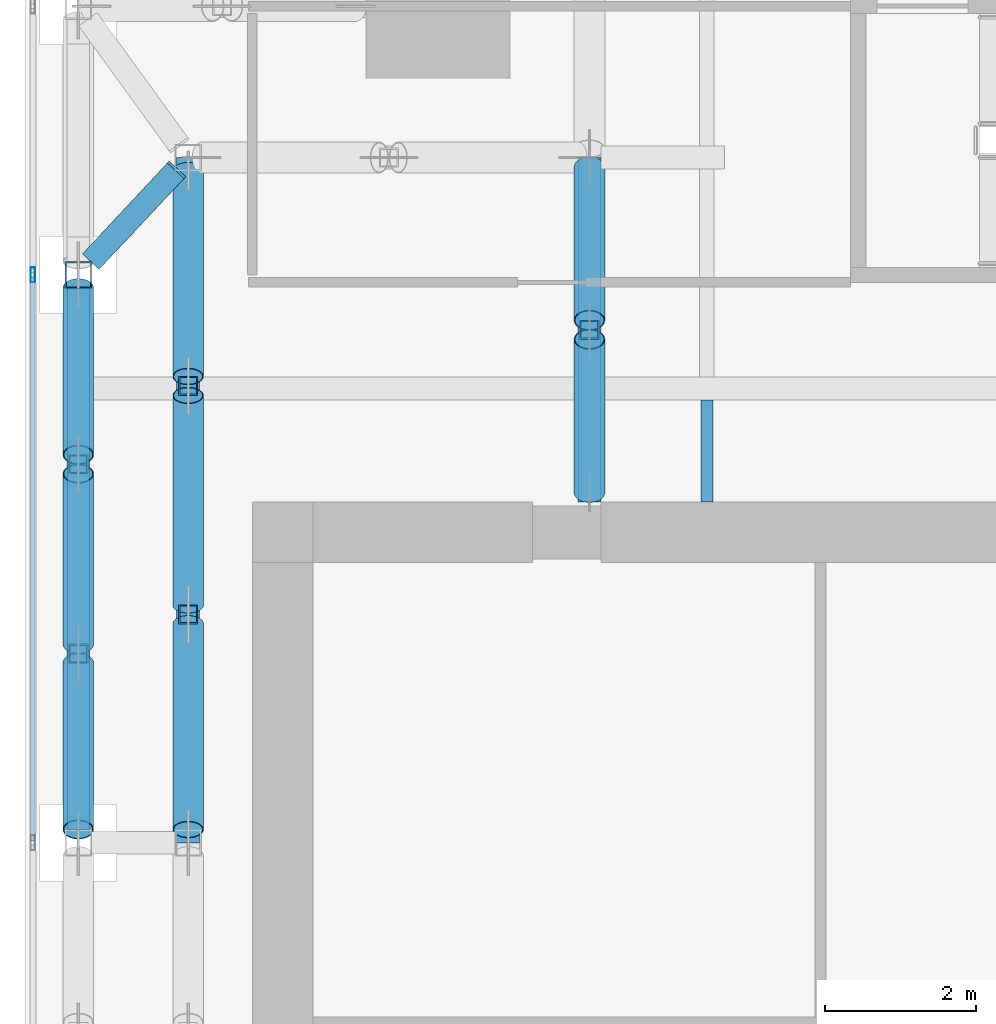
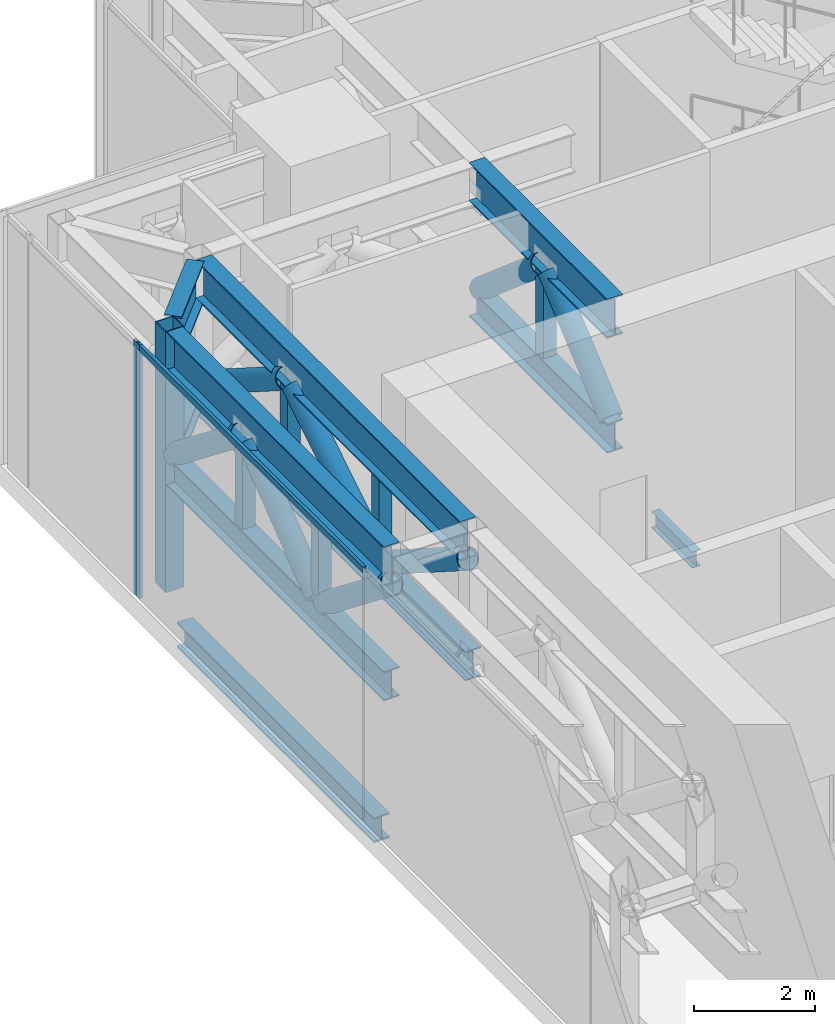
# One storey, part 17 of 36: 22 members, 4 beams, 1 element without a shape of its own.
"""IFC4 building model written with IfcOpenShell, lengths in metres."""

from ifc_helpers import new_model, si_unit, direction, frame, origin, origin_2d, place, context, subcontext, project, spatial, hollow_rectangle, hollow_circle, i_section, extrude, source, transform, mapped, material, material_profile, profile_set, type_object, element, aggregate, save


model = new_model("IFC4")

# Units and contexts
model_context = context("Model", 3, precision=1e-05, world=origin(), true_north=direction((0.0, 1.0)))
body_context = subcontext(model_context, "Body", "Model", "MODEL_VIEW")
ifc_project = project(units=[si_unit("LENGTHUNIT", "METRE"), si_unit("AREAUNIT", "SQUARE_METRE"), si_unit("VOLUMEUNIT", "CUBIC_METRE"), si_unit("PLANEANGLEUNIT", "RADIAN"), si_unit("MASSUNIT", "GRAM", prefix="KILO")], contexts=[model_context])

# Site, building, storey
site_placement = place(None, origin())
site = spatial("IfcSite", under=ifc_project, at=site_placement, CompositionType="ELEMENT")
building_placement = place(site_placement, origin())
building = spatial("IfcBuilding", under=site, at=building_placement, Name="Khomas Fold Tower", CompositionType="ELEMENT")
storey_placement = place(building_placement, frame((0.0, 0.0, 216.699951171875)))
storey = spatial("IfcBuildingStorey", under=building, at=storey_placement, Name="L48", CompositionType="ELEMENT", Elevation=216.699951171875)

# Beams
ifc_material_1 = material(Name="Steel S355", Category="steel")
ifc_material_profile_1 = material_profile(ifc_material_1, i_section(OverallWidth=0.300048828125, OverallDepth=0.5, WebThickness=0.014404296875, FlangeThickness=0.028076171875, at=origin_2d()), Name="HE 500 B")
ifc_profile_set_1 = profile_set([ifc_material_profile_1], Name="Steel S355")
beam_type_1 = type_object("IfcBeamType", Name="HE 500 B spandrel SB3", PredefinedType="SPANDREL", material=ifc_profile_set_1)
shared_shape_1 = source(origin(), body_context, "Body", "SweptSolid", [
    extrude(i_section(OverallWidth=0.300048828125, OverallDepth=0.5, WebThickness=0.014404296875, FlangeThickness=0.028076171875, at=origin_2d()), origin(), (0.0, 0.0, 1.0), 6.5),
])
beam_1_placement = place(storey_placement, frame((3.699951171875, 35.0, -0.64990234375), z_axis=(0.0, 1.0, 0.0), x_axis=(-1.0, 0.0, 0.0)))
element("IfcBeam", 1, at=beam_1_placement, inside=storey, type_object=beam_type_1, Name="SB3", PredefinedType="SPANDREL", context=body_context, shape_type="MappedRepresentation", body=[
    mapped(shared_shape_1, transform((0.0, 0.0, 0.0))),
])
ifc_material_2 = material(Name="Steel S355", Category="steel")
ifc_material_profile_2 = material_profile(ifc_material_2, i_section(OverallWidth=0.159912109375, OverallDepth=0.330078125, WebThickness=0.007568359375, FlangeThickness=0.011474609375, at=origin_2d()), Name="IPE 330")
ifc_profile_set_2 = profile_set([ifc_material_profile_2], Name="Steel S355")
beam_type_2 = type_object("IfcBeamType", Name="IPE 330 beam JB1", PredefinedType="BEAM", material=ifc_profile_set_2)
shared_shape_2 = source(origin(), body_context, "Body", "SweptSolid", [
    extrude(i_section(OverallWidth=0.159912109375, OverallDepth=0.330078125, WebThickness=0.007568359375, FlangeThickness=0.011474609375, at=origin_2d()), origin(), (0.0, 0.0, 1.0), 1.35009765625),
])
beam_2_placement = place(storey_placement, frame((12.0, 39.0, -0.56494140625), z_axis=(0.0, 1.0, 0.0), x_axis=(-1.0, 0.0, 0.0)))
element("IfcBeam", 2, at=beam_2_placement, inside=storey, type_object=beam_type_2, Name="JB1", PredefinedType="BEAM", context=body_context, shape_type="MappedRepresentation", body=[
    mapped(shared_shape_2, transform((0.0, 0.0, 0.0))),
])

# Members
ifc_material_3 = material(Name="Steel S355", Category="steel")
ifc_material_profile_3 = material_profile(ifc_material_3, i_section(OverallWidth=0.300048828125, OverallDepth=0.7900390625, WebThickness=0.014892578125, FlangeThickness=0.028076171875, at=origin_2d()), Name="HE 800 A")
ifc_profile_set_3 = profile_set([ifc_material_profile_3], Name="Steel S355")
member_type_1 = type_object("IfcMemberType", Name="BELT TRUSS 3 TOP CHORD HE 800 A", PredefinedType="CHORD", material=ifc_profile_set_3)
shared_shape_3 = source(origin(), body_context, "Body", "SweptSolid", [
    extrude(i_section(OverallWidth=0.300048828125, OverallDepth=0.7900390625, WebThickness=0.014892578125, FlangeThickness=0.028076171875, at=origin_2d()), origin(), (0.0, 0.0, 1.0), 7.14990234375),
])
member_1_placement = place(storey_placement, frame((3.699951171875, 41.824951171875, 4.85498046875), z_axis=(0.0, -1.0, 0.0), x_axis=(1.0, 0.0, 0.0)))
element("IfcMember", 3, at=member_1_placement, inside=storey, type_object=member_type_1, Name="BT3-CT", PredefinedType="CHORD", context=body_context, shape_type="MappedRepresentation", body=[
    mapped(shared_shape_3, transform((0.0, 0.0, 0.0))),
])
ifc_material_4 = material(Name="Steel S355", Category="steel")
ifc_material_profile_4 = material_profile(ifc_material_4, i_section(OverallWidth=0.300048828125, OverallDepth=0.590087890625, WebThickness=0.012939453125, FlangeThickness=0.02490234375, at=origin_2d()), Name="HE 600 A")
ifc_profile_set_4 = profile_set([ifc_material_profile_4], Name="Steel S355")
member_type_2 = type_object("IfcMemberType", Name="BELT TRUSS 3 BOTTOM CHORD HE 600 A", PredefinedType="CHORD", material=ifc_profile_set_4)
shared_shape_4 = source(origin(), body_context, "Body", "SweptSolid", [
    extrude(i_section(OverallWidth=0.300048828125, OverallDepth=0.590087890625, WebThickness=0.012939453125, FlangeThickness=0.02490234375, at=origin_2d()), origin(), (0.0, 0.0, 1.0), 7.14990234375),
])
member_2_placement = place(storey_placement, frame((3.699951171875, 41.824951171875, 2.445068359375), z_axis=(0.0, -1.0, 0.0), x_axis=(1.0, 0.0, 0.0)))
element("IfcMember", 4, at=member_2_placement, inside=storey, type_object=member_type_2, Name="BT3-CB", PredefinedType="CHORD", context=body_context, shape_type="MappedRepresentation", body=[
    mapped(shared_shape_4, transform((0.0, 0.0, 0.0))),
])
ifc_material_5 = material(Name="Steel S355", Category="steel")
ifc_material_profile_5 = material_profile(ifc_material_5, hollow_circle(Radius=0.203125, WallThickness=0.012451171875, at=origin_2d()), Name="CHS 406.4x12.5")
ifc_profile_set_5 = profile_set([ifc_material_profile_5], Name="Steel S355")
member_type_3 = type_object("IfcMemberType", Name="BELT TRUSS 3 DIAGONAL CHS 406.4x12.5", PredefinedType="BRACE", material=ifc_profile_set_5)
shared_shape_5 = source(origin(), body_context, "Body", "SweptSolid", [
    extrude(hollow_circle(Radius=0.203125, WallThickness=0.012451171875, at=origin_2d()), origin(), (0.0, 0.0, 1.0), 2.798583984375),
])
for number, where, z_axis, x_axis, name in (
    (5, (3.699951171875, 41.824951171875, 2.735107421875), (0.0, -0.786067028411, 0.618141267709), (1.0, 0.0, 0.0), "BT3-D"),
    (6, (3.699951171875, 36.875, 2.735107421875), (0.0, -0.786067028411, 0.618141267709), (1.0, 0.0, 0.0), "BT3-D"),
):
    element("IfcMember", number, at=place(storey_placement, frame(where, z_axis=z_axis, x_axis=x_axis)), inside=storey, type_object=member_type_3, Name=name, PredefinedType="BRACE", context=body_context, shape_type="MappedRepresentation", body=[
        mapped(shared_shape_5, transform((0.0, 0.0, 0.0))),
    ])
shared_shape_6 = source(origin(), body_context, "Body", "SweptSolid", [
    extrude(hollow_circle(Radius=0.203125, WallThickness=0.012451171875, at=origin_2d()), origin(), (0.0, 0.0, 1.0), 2.838134765625),
])
member_3_placement = place(storey_placement, frame((3.699951171875, 39.375, 4.465087890625), z_axis=(0.0, -0.792758275848, -0.609536148292), x_axis=(1.0, 0.0, 0.0)))
element("IfcMember", 7, at=member_3_placement, inside=storey, type_object=member_type_3, Name="BT3-D", PredefinedType="BRACE", context=body_context, shape_type="MappedRepresentation", body=[
    mapped(shared_shape_6, transform((0.0, 0.0, 0.0))),
])
ifc_material_6 = material(Name="Steel S355", Category="steel")
ifc_material_profile_6 = material_profile(ifc_material_6, hollow_rectangle(XDim=0.25, YDim=0.25, WallThickness=0.01611328125, at=origin_2d()), Name="SHS 250x250x16")
ifc_profile_set_6 = profile_set([ifc_material_profile_6], Name="Steel S355")
member_type_4 = type_object("IfcMemberType", Name="BELT TRUSS 3 MID POST SHS 250x250x16", PredefinedType="POST", material=ifc_profile_set_6)
shared_shape_7 = source(origin(), body_context, "Body", "SweptSolid", [
    extrude(hollow_rectangle(XDim=0.25, YDim=0.25, WallThickness=0.01611328125, at=origin_2d()), origin(), (0.0, 0.0, 1.0), 1.719970703125),
])
for number, where, z_axis, x_axis, name in (
    (8, (3.699951171875, 39.5, 2.739990234375), (0.0, 0.0, 1.0), (1.0, 0.0, 0.0), "BT3-M"),
    (9, (3.699951171875, 37.0, 2.739990234375), (0.0, 0.0, 1.0), (1.0, 0.0, 0.0), "BT3-M"),
    (10, (5.14990234375, 40.533447265625, 2.739990234375), (0.0, 0.0, 1.0), (1.0, 0.0, 0.0), "BT3-M"),
    (11, (5.14990234375, 37.5166015625, 2.739990234375), (0.0, 0.0, 1.0), (1.0, 0.0, 0.0), "BT3-M"),
    (12, (10.449951171875, 41.27490234375, 2.739990234375), (0.0, 0.0, 1.0), (1.0, 0.0, 0.0), "BT3-M"),
):
    element("IfcMember", number, at=place(storey_placement, frame(where, z_axis=z_axis, x_axis=x_axis)), inside=storey, type_object=member_type_4, Name=name, PredefinedType="POST", context=body_context, shape_type="MappedRepresentation", body=[
        mapped(shared_shape_7, transform((0.0, 0.0, 0.0))),
    ])
ifc_material_7 = material(Name="Steel S355", Category="steel")
ifc_material_profile_7 = material_profile(ifc_material_7, i_section(OverallWidth=0.300048828125, OverallDepth=0.7900390625, WebThickness=0.014892578125, FlangeThickness=0.028076171875, at=origin_2d()), Name="HE 800 A")
ifc_profile_set_7 = profile_set([ifc_material_profile_7], Name="Steel S355")
member_type_5 = type_object("IfcMemberType", Name="BELT TRUSS 3 TOP CHORD LONG HE 800 A", PredefinedType="CHORD", material=ifc_profile_set_7)
shared_shape_8 = source(origin(), body_context, "Body", "SweptSolid", [
    extrude(i_section(OverallWidth=0.300048828125, OverallDepth=0.7900390625, WebThickness=0.014892578125, FlangeThickness=0.028076171875, at=origin_2d()), origin(), (0.0, 0.0, 1.0), 8.699951171875),
])
member_4_placement = place(storey_placement, frame((5.14990234375, 43.375, 4.85498046875), z_axis=(0.0, -1.0, 0.0), x_axis=(1.0, 0.0, 0.0)))
element("IfcMember", 13, at=member_4_placement, inside=storey, type_object=member_type_5, Name="BT3-CTL", PredefinedType="CHORD", context=body_context, shape_type="MappedRepresentation", body=[
    mapped(shared_shape_8, transform((0.0, 0.0, 0.0))),
])
shared_shape_9 = source(origin(), body_context, "Body", "SweptSolid", [
    extrude(hollow_circle(Radius=0.203125, WallThickness=0.012451171875, at=origin_2d()), origin(), (0.0, 0.0, 1.0), 3.220703125),
])
for number, where, z_axis, x_axis, name in (
    (14, (5.14990234375, 43.375, 2.735107421875), (0.0, -0.843483522339, 0.537155049815), (1.0, 0.0, 0.0), "BT3-D"),
    (15, (5.14990234375, 37.3916015625, 2.735107421875), (0.0, -0.843483522339, 0.537155049815), (1.0, 0.0, 0.0), "BT3-D"),
):
    element("IfcMember", number, at=place(storey_placement, frame(where, z_axis=z_axis, x_axis=x_axis)), inside=storey, type_object=member_type_3, Name=name, PredefinedType="BRACE", context=body_context, shape_type="MappedRepresentation", body=[
        mapped(shared_shape_9, transform((0.0, 0.0, 0.0))),
    ])
shared_shape_10 = source(origin(), body_context, "Body", "SweptSolid", [
    extrude(hollow_circle(Radius=0.203125, WallThickness=0.012451171875, at=origin_2d()), origin(), (0.0, 0.0, 1.0), 3.26318359375),
])
member_5_placement = place(storey_placement, frame((5.14990234375, 40.408447265625, 4.465087890625), z_axis=(0.0, -0.847901616183, -0.53015360913), x_axis=(1.0, 0.0, 0.0)))
element("IfcMember", 16, at=member_5_placement, inside=storey, type_object=member_type_3, Name="BT3-D", PredefinedType="BRACE", context=body_context, shape_type="MappedRepresentation", body=[
    mapped(shared_shape_10, transform((0.0, 0.0, 0.0))),
])
ifc_material_8 = material(Name="Steel S355", Category="steel")
ifc_material_profile_8 = material_profile(ifc_material_8, i_section(OverallWidth=0.300048828125, OverallDepth=0.590087890625, WebThickness=0.012939453125, FlangeThickness=0.02490234375, at=origin_2d()), Name="HE 600 A")
ifc_profile_set_8 = profile_set([ifc_material_profile_8], Name="Steel S355")
member_type_6 = type_object("IfcMemberType", Name="BELT TRUSS 3 BOTTOM CHORD LONG HE 600 A", PredefinedType="CHORD", material=ifc_profile_set_8)
shared_shape_11 = source(origin(), body_context, "Body", "SweptSolid", [
    extrude(i_section(OverallWidth=0.300048828125, OverallDepth=0.590087890625, WebThickness=0.012939453125, FlangeThickness=0.02490234375, at=origin_2d()), origin(), (0.0, 0.0, 1.0), 9.050048828125),
])
member_6_placement = place(storey_placement, frame((5.14990234375, 43.550048828125, 2.445068359375), z_axis=(0.0, -1.0, 0.0), x_axis=(1.0, 0.0, 0.0)))
element("IfcMember", 17, at=member_6_placement, inside=storey, type_object=member_type_6, Name="BT3-CBL", PredefinedType="CHORD", context=body_context, shape_type="MappedRepresentation", body=[
    mapped(shared_shape_11, transform((0.0, 0.0, 0.0))),
])
ifc_material_9 = material(Name="Steel S355", Category="steel")
ifc_material_profile_9 = material_profile(ifc_material_9, i_section(OverallWidth=0.300048828125, OverallDepth=0.7900390625, WebThickness=0.014892578125, FlangeThickness=0.028076171875, at=origin_2d()), Name="HE 800 A")
ifc_profile_set_9 = profile_set([ifc_material_profile_9], Name="Steel S355")
member_type_7 = type_object("IfcMemberType", Name="BELT TRUSS 3 TOP CHORD SHORT HE 800 A", PredefinedType="CHORD", material=ifc_profile_set_9)
shared_shape_12 = source(origin(), body_context, "Body", "SweptSolid", [
    extrude(i_section(OverallWidth=0.300048828125, OverallDepth=0.7900390625, WebThickness=0.014892578125, FlangeThickness=0.028076171875, at=origin_2d()), origin(), (0.0, 0.0, 1.0), 4.550048828125),
])
member_7_placement = place(storey_placement, frame((10.449951171875, 43.550048828125, 4.85498046875), z_axis=(0.0, -1.0, 0.0), x_axis=(1.0, 0.0, 0.0)))
element("IfcMember", 18, at=member_7_placement, inside=storey, type_object=member_type_7, Name="BT3-CTS", PredefinedType="CHORD", context=body_context, shape_type="MappedRepresentation", body=[
    mapped(shared_shape_12, transform((0.0, 0.0, 0.0))),
])
ifc_material_10 = material(Name="Steel S355", Category="steel")
ifc_material_profile_10 = material_profile(ifc_material_10, i_section(OverallWidth=0.300048828125, OverallDepth=0.590087890625, WebThickness=0.012939453125, FlangeThickness=0.02490234375, at=origin_2d()), Name="HE 600 A")
ifc_profile_set_10 = profile_set([ifc_material_profile_10], Name="Steel S355")
member_type_8 = type_object("IfcMemberType", Name="BELT TRUSS 3 BOTTOM CHORD SHORT HE 600 A", PredefinedType="CHORD", material=ifc_profile_set_10)
shared_shape_13 = source(origin(), body_context, "Body", "SweptSolid", [
    extrude(i_section(OverallWidth=0.300048828125, OverallDepth=0.590087890625, WebThickness=0.012939453125, FlangeThickness=0.02490234375, at=origin_2d()), origin(), (0.0, 0.0, 1.0), 4.550048828125),
])
member_8_placement = place(storey_placement, frame((10.449951171875, 43.550048828125, 2.445068359375), z_axis=(0.0, -1.0, 0.0), x_axis=(1.0, 0.0, 0.0)))
element("IfcMember", 19, at=member_8_placement, inside=storey, type_object=member_type_8, Name="BT3-CBS", PredefinedType="CHORD", context=body_context, shape_type="MappedRepresentation", body=[
    mapped(shared_shape_13, transform((0.0, 0.0, 0.0))),
])
shared_shape_14 = source(origin(), body_context, "Body", "SweptSolid", [
    extrude(hollow_circle(Radius=0.203125, WallThickness=0.012451171875, at=origin_2d()), origin(), (0.0, 0.0, 1.0), 2.661865234375),
])
for number, where, z_axis, x_axis, name in (
    (20, (10.449951171875, 43.423095703125, 2.735107421875), (0.0, -0.760032931918, 0.649884560826), (1.0, 0.0, 0.0), "BT3-D"),
    (21, (10.449951171875, 41.14990234375, 4.465087890625), (0.0, -0.759994192515, -0.649929863403), (1.0, 0.0, 0.0), "BT3-D"),
):
    element("IfcMember", number, at=place(storey_placement, frame(where, z_axis=z_axis, x_axis=x_axis)), inside=storey, type_object=member_type_3, Name=name, PredefinedType="BRACE", context=body_context, shape_type="MappedRepresentation", body=[
        mapped(shared_shape_14, transform((0.0, 0.0, 0.0))),
    ])
ifc_material_11 = material(Name="Steel S355", Category="steel")
ifc_material_profile_11 = material_profile(ifc_material_11, hollow_rectangle(XDim=0.35009765625, YDim=0.35009765625, WallThickness=0.01611328125, at=origin_2d()), Name="SHS 350x350x16")
ifc_profile_set_11 = profile_set([ifc_material_profile_11], Name="Steel S355")
member_type_9 = type_object("IfcMemberType", Name="BELT TRUSS 3 COLUMN POST SHS 350x350x16", PredefinedType="POST", material=ifc_profile_set_11)
shared_shape_15 = source(origin(), body_context, "Body", "SweptSolid", [
    extrude(hollow_rectangle(XDim=0.35009765625, YDim=0.35009765625, WallThickness=0.01611328125, at=origin_2d()), origin(), (0.0, 0.0, 1.0), 5.25),
])
member_9_placement = place(storey_placement, frame((3.699951171875, 42.0, 0.0), z_axis=(0.0, 0.0, 1.0), x_axis=(1.0, 0.0, 0.0)))
element("IfcMember", 22, at=member_9_placement, inside=storey, type_object=member_type_9, Name="BT3-P", PredefinedType="POST", context=body_context, shape_type="MappedRepresentation", body=[
    mapped(shared_shape_15, transform((0.0, 0.0, 0.0))),
])

# Beams
ifc_material_12 = material(Name="Steel S460M", Category="steel")
ifc_material_profile_12 = material_profile(ifc_material_12, i_section(OverallWidth=0.300048828125, OverallDepth=0.800048828125, WebThickness=0.017578125, FlangeThickness=0.032958984375, at=origin_2d()), Name="HE 800 B")
ifc_profile_set_12 = profile_set([ifc_material_profile_12], Name="Steel S460M")
beam_type_3 = type_object("IfcBeamType", Name="BELT TRUSS 3 TOP TRANSFER STRUT HE 800 B", PredefinedType="BEAM", material=ifc_profile_set_12)
shared_shape_16 = source(origin(), body_context, "Body", "SweptSolid", [
    extrude(i_section(OverallWidth=0.300048828125, OverallDepth=0.800048828125, WebThickness=0.017578125, FlangeThickness=0.032958984375, at=origin_2d()), origin(), (0.0, 0.0, 1.0), 1.64306640625),
])
beam_3_placement = place(storey_placement, frame((4.986328125, 43.375, 4.85009765625), z_axis=(-0.683164796783, -0.730264240146, 0.0), x_axis=(0.730264240146, -0.683164796783, 0.0)))
element("IfcBeam", 23, at=beam_3_placement, inside=storey, type_object=beam_type_3, Name="BT3-STD", PredefinedType="BEAM", context=body_context, shape_type="MappedRepresentation", body=[
    mapped(shared_shape_16, transform((0.0, 0.0, 0.0))),
])
ifc_material_13 = material(Name="Steel S355", Category="steel")
ifc_material_profile_13 = material_profile(ifc_material_13, i_section(OverallWidth=0.300048828125, OverallDepth=0.360107421875, WebThickness=0.012451171875, FlangeThickness=0.0224609375, at=origin_2d()), Name="HE 360 B")
ifc_profile_set_13 = profile_set([ifc_material_profile_13], Name="Steel S355")
beam_type_4 = type_object("IfcBeamType", Name="BELT TRUSS 3 BOTTOM STRUT HE 360 B", PredefinedType="BEAM", material=ifc_profile_set_13)
shared_shape_17 = source(origin(), body_context, "Body", "SweptSolid", [
    extrude(i_section(OverallWidth=0.300048828125, OverallDepth=0.360107421875, WebThickness=0.012451171875, FlangeThickness=0.0224609375, at=origin_2d()), origin(), (0.0, 0.0, 1.0), 1.677490234375),
])
beam_4_placement = place(storey_placement, frame((5.009765625, 43.39990234375, 2.56005859375), z_axis=(-0.68320970901, -0.730222222008, 0.0), x_axis=(0.730222222008, -0.68320970901, 0.0)))
element("IfcBeam", 24, at=beam_4_placement, inside=storey, type_object=beam_type_4, Name="BT3-SB", PredefinedType="BEAM", context=body_context, shape_type="MappedRepresentation", body=[
    mapped(shared_shape_17, transform((0.0, 0.0, 0.0))),
])

# Curtain wall, members
ifc_material_14 = material(Name="Aluminium framed double glazing", Category="aluminium")
curtain_wall_type = type_object("IfcCurtainWallType", Name="SK-Plant louvre wall CW4", PredefinedType="NOTDEFINED", material=ifc_material_14)
curtain_wall_placement = place(storey_placement, origin())
curtain_wall = element("IfcCurtainWall", 25, at=curtain_wall_placement, inside=storey, type_object=curtain_wall_type, Name="CW4 run L48 09-0", PredefinedType="NOTDEFINED")
ifc_material_15 = material(Name="Aluminium", Category="aluminium")
ifc_material_profile_14 = material_profile(ifc_material_15, hollow_rectangle(XDim=0.06005859375, YDim=0.199951171875, WallThickness=0.00390625, at=origin_2d()), Name="SK-Plant louvre wall mullion CW4-M")
ifc_profile_set_14 = profile_set([ifc_material_profile_14], Name="Aluminium")
member_type_10 = type_object("IfcMemberType", Name="SK-Plant louvre wall mullion CW4-M", PredefinedType="MULLION", material=ifc_profile_set_14)
shared_shape_18 = source(origin(), body_context, "Body", "SweptSolid", [
    extrude(hollow_rectangle(XDim=0.06005859375, YDim=0.199951171875, WallThickness=0.00390625, at=origin_2d()), origin(), (0.0, 0.0, 1.0), 5.10009765625),
])
member_10_placement = place(storey_placement, frame((3.10009765625, 42.0, 0.0), z_axis=(0.0, 0.0, 1.0), x_axis=(1.0, 0.0, 0.0)))
member_10 = element("IfcMember", 26, at=member_10_placement, type_object=member_type_10, Name="CW4 mullion 3", PredefinedType="MULLION", context=body_context, shape_type="MappedRepresentation", body=[
    mapped(shared_shape_18, transform((0.0, 0.0, 0.0))),
])
ifc_material_16 = material(Name="Aluminium", Category="aluminium")
ifc_material_profile_15 = material_profile(ifc_material_16, hollow_rectangle(XDim=0.06005859375, YDim=0.1201171875, WallThickness=0.00390625, at=origin_2d()), Name="SK-Plant louvre wall transom CW4-T")
ifc_profile_set_15 = profile_set([ifc_material_profile_15], Name="Aluminium")
member_type_11 = type_object("IfcMemberType", Name="SK-Plant louvre wall transom CW4-T", PredefinedType="USERDEFINED", material=ifc_profile_set_15)
shared_shape_19 = source(origin(), body_context, "Body", "SweptSolid", [
    extrude(hollow_rectangle(XDim=0.06005859375, YDim=0.1201171875, WallThickness=0.00390625, at=origin_2d()), origin(), (0.0, 0.0, 1.0), 7.43994140625),
])
member_11_placement = place(storey_placement, frame((3.10009765625, 41.969970703125, 5.0400390625), z_axis=(0.0, -1.0, 0.0), x_axis=(1.0, 0.0, 0.0)))
member_11 = element("IfcMember", 27, at=member_11_placement, type_object=member_type_11, Name="CW4 transom 3", ObjectType="TRANSOM", PredefinedType="USERDEFINED", context=body_context, shape_type="MappedRepresentation", body=[
    mapped(shared_shape_19, transform((0.0, 0.0, 0.0))),
])
aggregate(curtain_wall, [member_10, member_11])

save(model, "model.ifc")
